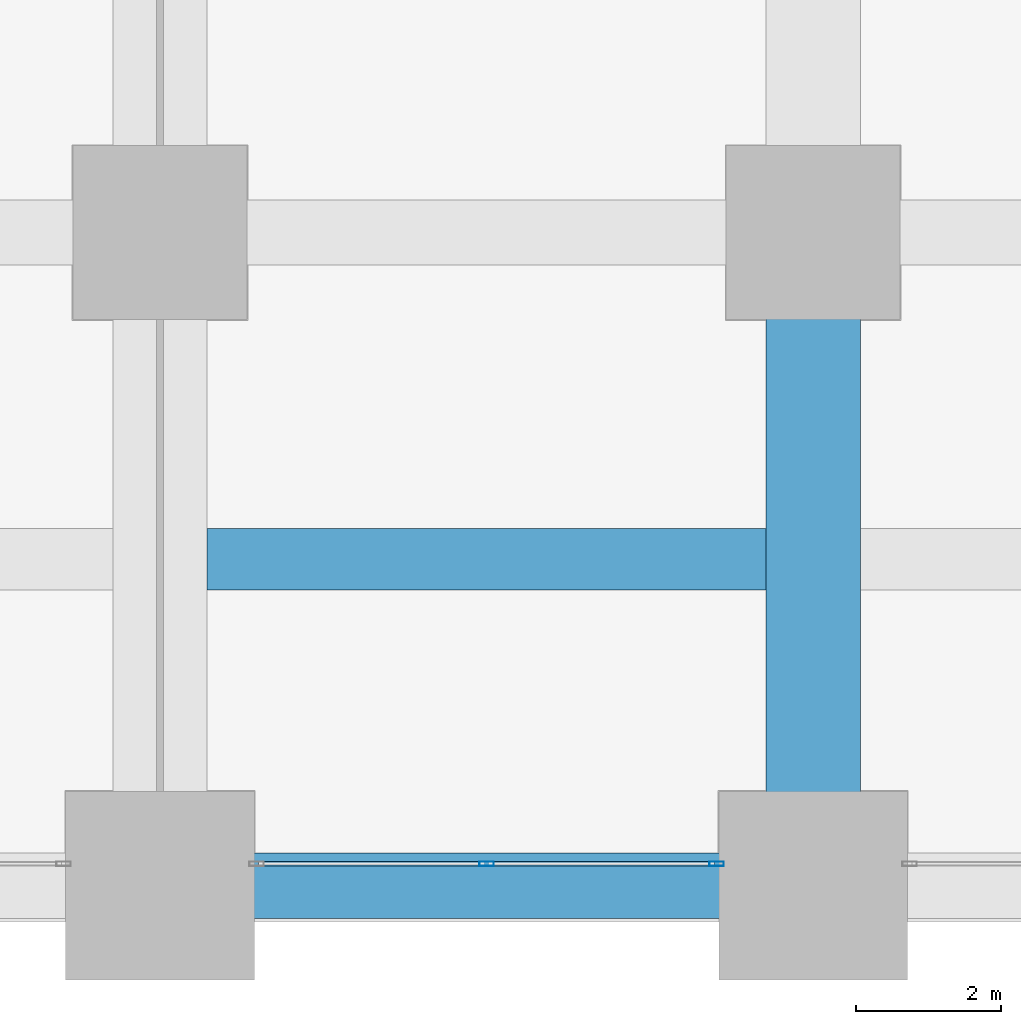
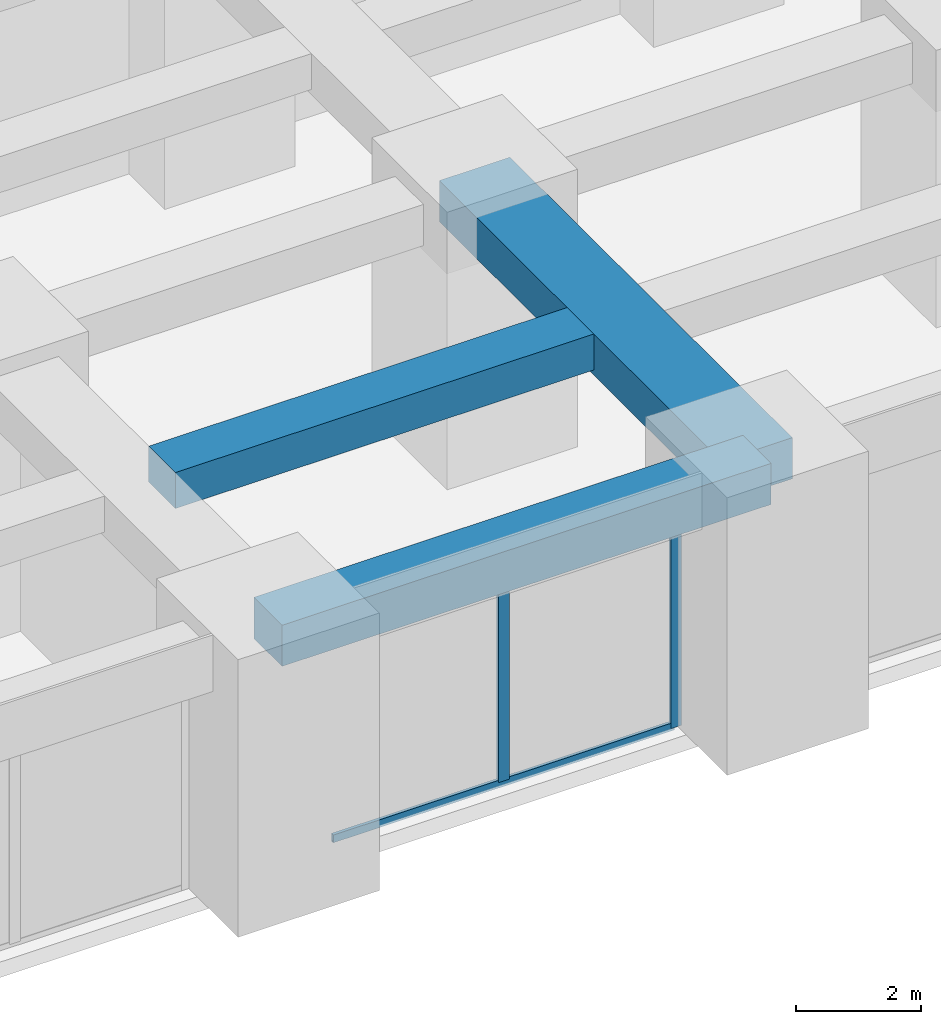
# One storey, part 16 of 45: 3 beams, 3 members, 1 element without a shape of its own.
"""IFC4 building model written with IfcOpenShell, lengths in metres."""

from ifc_helpers import new_model, si_unit, direction, frame, origin, origin_2d, place, context, subcontext, project, spatial, rectangle, hollow_rectangle, extrude, material, material_profile, profile_set, type_object, element, aggregate, save


model = new_model("IFC4")

# Units and contexts
model_context = context("Model", 3, precision=1e-05, world=origin(), true_north=direction((0.0, 1.0)))
body_context = subcontext(model_context, "Body", "Model", "MODEL_VIEW")
ifc_project = project(units=[si_unit("LENGTHUNIT", "METRE"), si_unit("AREAUNIT", "SQUARE_METRE"), si_unit("VOLUMEUNIT", "CUBIC_METRE"), si_unit("PLANEANGLEUNIT", "RADIAN"), si_unit("MASSUNIT", "GRAM", prefix="KILO")], contexts=[model_context])

# Site, building, storey
site_placement = place(None, origin())
site = spatial("IfcSite", under=ifc_project, at=site_placement, CompositionType="ELEMENT")
building_placement = place(site_placement, origin())
building = spatial("IfcBuilding", under=site, at=building_placement, Name="Zorevar Civic Tower", CompositionType="ELEMENT")
storey_placement = place(building_placement, frame((0.0, 0.0, 5.39990234375)))
storey = spatial("IfcBuildingStorey", under=building, at=storey_placement, Name="L01", CompositionType="ELEMENT", Elevation=5.39990234375)

# Beams
ifc_material_1 = material(Name="Concrete C50/60", Category="concrete")
ifc_material_profile_1 = material_profile(ifc_material_1, rectangle(XDim=1.300048828125, YDim=0.800048828125, at=origin_2d()), Name="RC 1300x800")
ifc_profile_set_1 = profile_set([ifc_material_profile_1], Name="Concrete C50/60")
beam_type_1 = type_object("IfcBeamType", Name="Beam RC 1300x800", PredefinedType="BEAM", material=ifc_profile_set_1)
beam_1_placement = place(storey_placement, frame((54.0, 0.0, 4.7001953125), z_axis=(0.0, 1.0, 0.0), x_axis=(-1.0, 0.0, 0.0)))
element("IfcBeam", 1, at=beam_1_placement, inside=storey, type_object=beam_type_1, Name="Girder L02", PredefinedType="BEAM", context=body_context, shape_type="SweptSolid", body=[
    extrude(rectangle(XDim=1.300048828125, YDim=0.800048828125, at=origin_2d()), origin(), (0.0, 0.0, 1.0), 9.0),
])
ifc_material_2 = material(Name="Concrete C50/60", Category="concrete")
ifc_material_profile_2 = material_profile(ifc_material_2, rectangle(XDim=0.85009765625, YDim=0.699951171875, at=origin_2d()), Name="RC 850x700")
ifc_profile_set_2 = profile_set([ifc_material_profile_2], Name="Concrete C50/60")
beam_type_2 = type_object("IfcBeamType", Name="Beam RC 850x700", PredefinedType="BEAM", material=ifc_profile_set_2)
beam_2_placement = place(storey_placement, frame((45.64990234375, 4.5, 4.75), z_axis=(1.0, 0.0, 0.0), x_axis=(0.0, 1.0, 0.0)))
element("IfcBeam", 2, at=beam_2_placement, inside=storey, type_object=beam_type_2, Name="Secondary beam L02", PredefinedType="BEAM", context=body_context, shape_type="SweptSolid", body=[
    extrude(rectangle(XDim=0.85009765625, YDim=0.699951171875, at=origin_2d()), origin(), (0.0, 0.0, 1.0), 7.7001953125),
])

# Curtain wall, members
ifc_material_3 = material(Name="Dark grey solar-control glass in black aluminium frame", Category="aluminium")
curtain_wall_type = type_object("IfcCurtainWallType", Name="Curtain wall CW1 podium", PredefinedType="NOTDEFINED", material=ifc_material_3)
curtain_wall_placement = place(storey_placement, origin())
curtain_wall = element("IfcCurtainWall", 3, at=curtain_wall_placement, inside=storey, type_object=curtain_wall_type, Name="CW1 L01", PredefinedType="NOTDEFINED")
ifc_material_4 = material(Name="Aluminium, black anodised", Category="aluminium")
ifc_material_profile_3 = material_profile(ifc_material_4, hollow_rectangle(XDim=0.06005859375, YDim=0.199951171875, WallThickness=0.00390625, at=origin_2d()), Name="AL 200x60x4")
ifc_profile_set_3 = profile_set([ifc_material_profile_3], Name="Aluminium, black anodised")
member_type_1 = type_object("IfcMemberType", Name="CW1 mullion AL 200x60x4", PredefinedType="MULLION", material=ifc_profile_set_3)
member_1_placement = place(storey_placement, frame((49.5, 0.300048828125, 0.06005859375), z_axis=(0.0, 0.0, 1.0), x_axis=(0.0, 1.0, 0.0)))
member_1 = element("IfcMember", 4, at=member_1_placement, type_object=member_type_1, Name="CW1 mullion 2", PredefinedType="MULLION", context=body_context, shape_type="SweptSolid", body=[
    extrude(hollow_rectangle(XDim=0.06005859375, YDim=0.199951171875, WallThickness=0.00390625, at=origin_2d()), origin(), (0.0, 0.0, 1.0), 4.239990234375),
])
member_2_placement = place(storey_placement, frame((52.669921875, 0.300048828125, 0.0), z_axis=(0.0, 0.0, 1.0), x_axis=(0.0, 1.0, 0.0)))
member_2 = element("IfcMember", 5, at=member_2_placement, type_object=member_type_1, Name="CW1 mullion 3", PredefinedType="MULLION", context=body_context, shape_type="SweptSolid", body=[
    extrude(hollow_rectangle(XDim=0.06005859375, YDim=0.199951171875, WallThickness=0.00390625, at=origin_2d()), origin(), (0.0, 0.0, 1.0), 4.300048828125),
])
ifc_material_5 = material(Name="Aluminium, black anodised", Category="aluminium")
ifc_material_profile_4 = material_profile(ifc_material_5, hollow_rectangle(XDim=0.06005859375, YDim=0.14990234375, WallThickness=0.00390625, at=origin_2d()), Name="AL 150x60x4")
ifc_profile_set_4 = profile_set([ifc_material_profile_4], Name="Aluminium, black anodised")
member_type_2 = type_object("IfcMemberType", Name="CW1 transom AL 150x60x4", PredefinedType="USERDEFINED", material=ifc_profile_set_4)
member_3_placement = place(storey_placement, frame((46.360107421875, 0.300048828125, 0.030029296875), z_axis=(1.0, 0.0, 0.0), x_axis=(0.0, 1.0, 0.0)))
member_3 = element("IfcMember", 6, at=member_3_placement, type_object=member_type_2, Name="CW1 sill transom", ObjectType="TRANSOM", PredefinedType="USERDEFINED", context=body_context, shape_type="SweptSolid", body=[
    extrude(hollow_rectangle(XDim=0.06005859375, YDim=0.14990234375, WallThickness=0.00390625, at=origin_2d()), origin(), (0.0, 0.0, 1.0), 6.27978515625),
])
aggregate(curtain_wall, [member_1, member_2, member_3])

# Beam
ifc_material_6 = material(Name="Concrete C50/60", Category="concrete")
ifc_material_profile_5 = material_profile(ifc_material_6, rectangle(XDim=0.89990234375, YDim=0.800048828125, at=origin_2d()), Name="RC 900x800")
ifc_profile_set_5 = profile_set([ifc_material_profile_5], Name="Concrete C50/60")
beam_type_3 = type_object("IfcBeamType", Name="Edge beam RC 900x800", PredefinedType="SPANDREL", material=ifc_profile_set_5)
beam_3_placement = place(storey_placement, frame((45.0, 0.0, 4.7001953125), z_axis=(1.0, 0.0, 0.0), x_axis=(0.0, 1.0, 0.0)))
element("IfcBeam", 7, at=beam_3_placement, inside=storey, type_object=beam_type_3, Name="Edge beam L02", PredefinedType="SPANDREL", context=body_context, shape_type="SweptSolid", body=[
    extrude(rectangle(XDim=0.89990234375, YDim=0.800048828125, at=origin_2d()), origin(), (0.0, 0.0, 1.0), 9.0),
])

save(model, "model.ifc")
